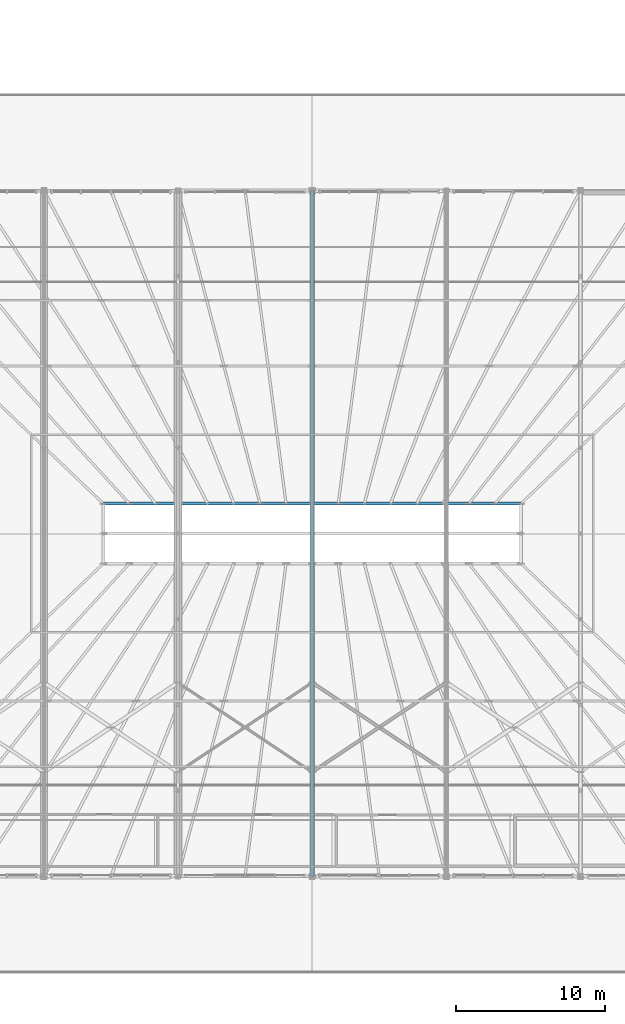
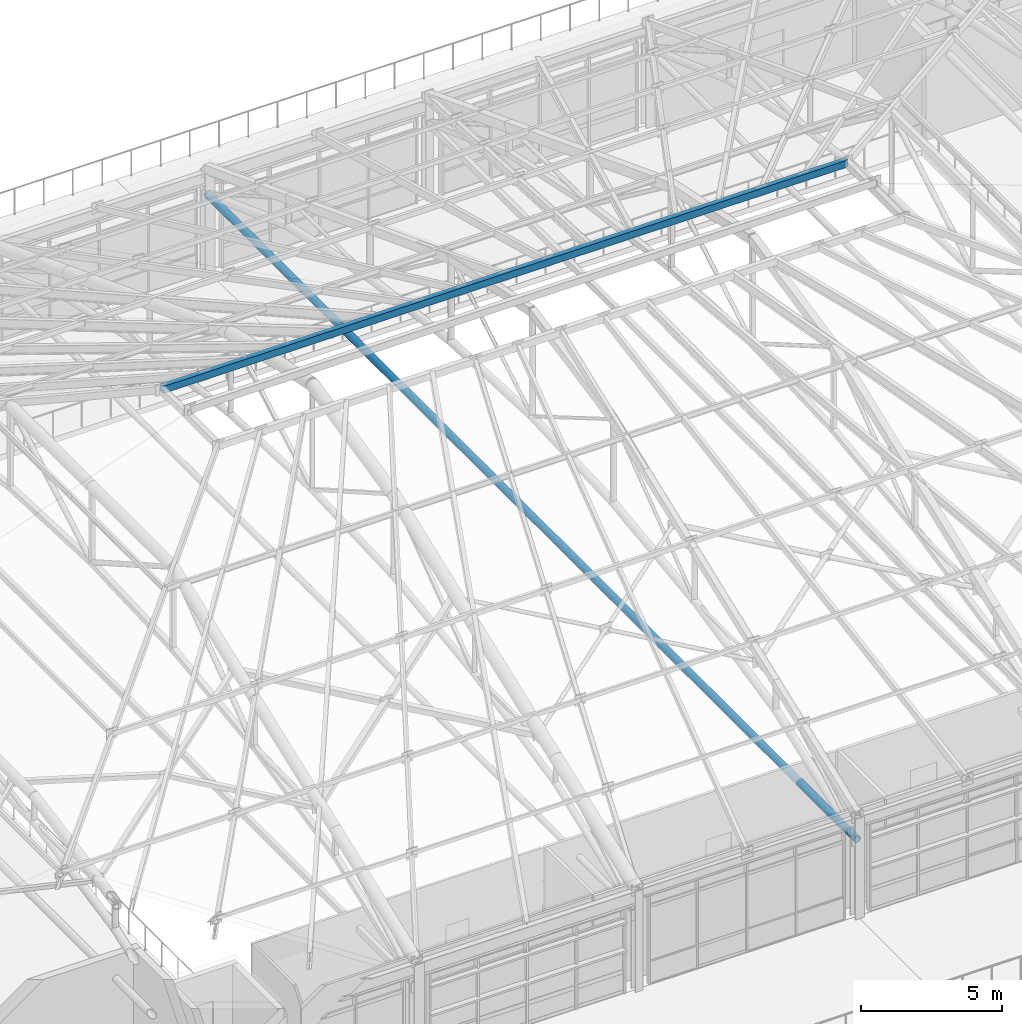
# One storey, part 32 of 168: 1 beam, 1 member.
"""IFC4 building model written with IfcOpenShell, lengths in metres."""

from ifc_helpers import new_model, si_unit, direction, frame, origin, origin_2d, place, context, subcontext, project, spatial, hollow_rectangle, hollow_circle, extrude, material, material_profile, profile_set, type_object, element, save


model = new_model("IFC4")

# Units and contexts
model_context = context("Model", 3, precision=1e-05, world=origin(), true_north=direction((0.0, 1.0)))
body_context = subcontext(model_context, "Body", "Model", "MODEL_VIEW")
ifc_project = project(units=[si_unit("LENGTHUNIT", "METRE"), si_unit("AREAUNIT", "SQUARE_METRE"), si_unit("VOLUMEUNIT", "CUBIC_METRE"), si_unit("PLANEANGLEUNIT", "RADIAN"), si_unit("MASSUNIT", "GRAM", prefix="KILO"), si_unit("THERMODYNAMICTEMPERATUREUNIT", "KELVIN"), si_unit("POWERUNIT", "WATT")], contexts=[model_context])

# Site, building, storey
site_placement = place(None, origin())
site = spatial("IfcSite", under=ifc_project, at=site_placement, CompositionType="ELEMENT")
building_placement = place(site_placement, origin())
building = spatial("IfcBuilding", under=site, at=building_placement, Name="Tepalcoro Natatorium and Aquatics Centre", CompositionType="ELEMENT")
storey_placement = place(building_placement, frame((0.0, 0.0, 10.199951171875)))
storey = spatial("IfcBuildingStorey", under=building, at=storey_placement, Name="L02", CompositionType="ELEMENT", Elevation=10.199951171875)

# Beam
ifc_material = material(Name="Terracotta Painted Hollow Steel ASTM A500 Grade C (Fy 345 MPa)", Category="masonry")
ifc_material_profile_1 = material_profile(ifc_material, hollow_rectangle(XDim=0.199951171875, YDim=0.300048828125, WallThickness=0.013916015625, at=origin_2d()), Name="HSS300X200X14")
ifc_profile_set_1 = profile_set([ifc_material_profile_1], Name="Terracotta Painted Hollow Steel ASTM A500 Grade C (Fy 345 MPa)")
beam_type = type_object("IfcBeamType", Name="AC_HSS300x200x14", PredefinedType="USERDEFINED", material=ifc_profile_set_1)
beam_placement = place(storey_placement, frame((75.0, 38.0, 12.525146484375), z_axis=(1.0, 0.0, 0.0), x_axis=(0.0, 1.0, 0.0)))
element("IfcBeam", 1, at=beam_placement, inside=storey, type_object=beam_type, Name="Pyramid Lantern Ring Chord N", ObjectType="ARCH CHORD", PredefinedType="USERDEFINED", context=body_context, shape_type="SweptSolid", body=[
    extrude(hollow_rectangle(XDim=0.199951171875, YDim=0.300048828125, WallThickness=0.013916015625, at=origin_2d()), origin(), (0.0, 0.0, 1.0), 28.0),
])

# Member
ifc_material_profile_2 = material_profile(ifc_material, hollow_circle(Radius=0.14892578125, WallThickness=0.01611328125, at=origin_2d()), Name="CHS298X16")
ifc_profile_set_2 = profile_set([ifc_material_profile_2], Name="Terracotta Painted Hollow Steel ASTM A500 Grade C (Fy 345 MPa)")
member_type = type_object("IfcMemberType", Name="MB_AT_CHS298x16", PredefinedType="USERDEFINED", material=ifc_profile_set_2)
member_placement = place(storey_placement, frame((89.0, 13.0, 3.324951171875), z_axis=(0.0, 1.0, 0.0), x_axis=(-1.0, 0.0, 0.0)))
element("IfcMember", 2, at=member_placement, inside=storey, type_object=member_type, Name="V1 Tied-Arch Tension Tie 5", ObjectType="ARCH TIE", PredefinedType="USERDEFINED", context=body_context, shape_type="SweptSolid", body=[
    extrude(hollow_circle(Radius=0.14892578125, WallThickness=0.01611328125, at=origin_2d()), origin(), (0.0, 0.0, 1.0), 46.0),
])

save(model, "model.ifc")
